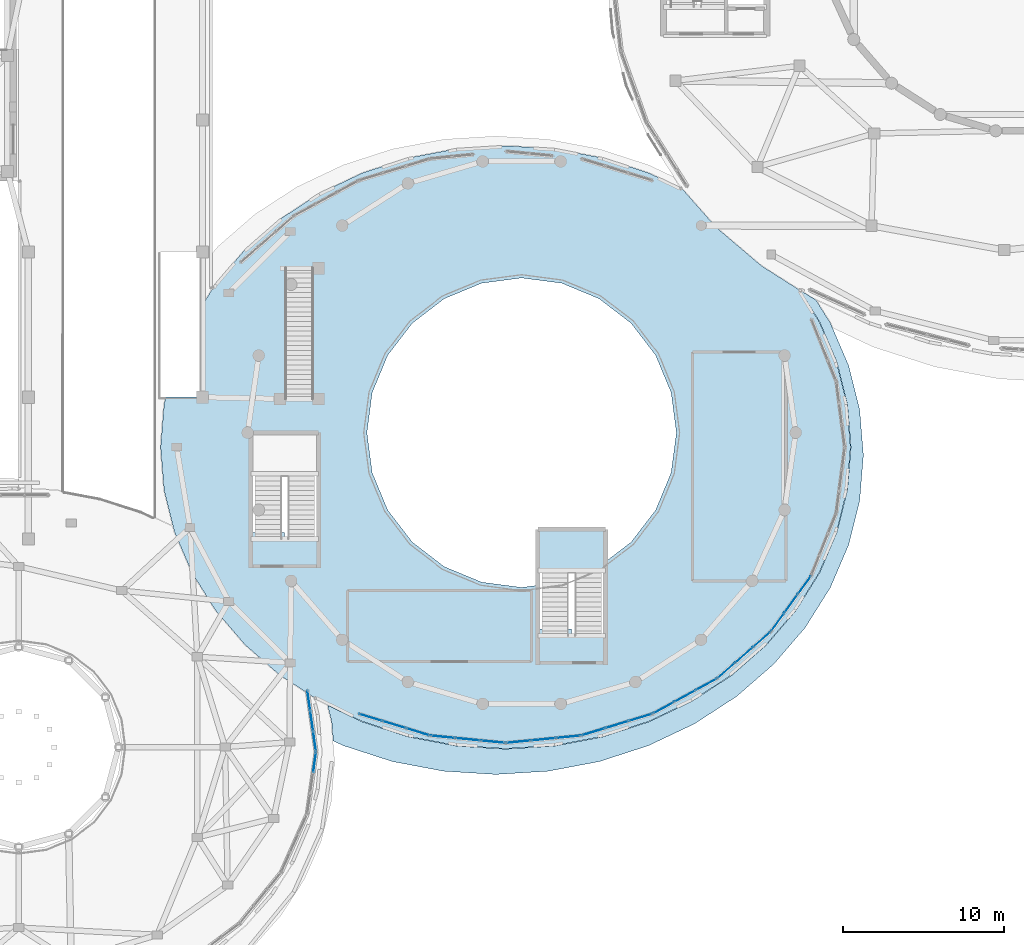
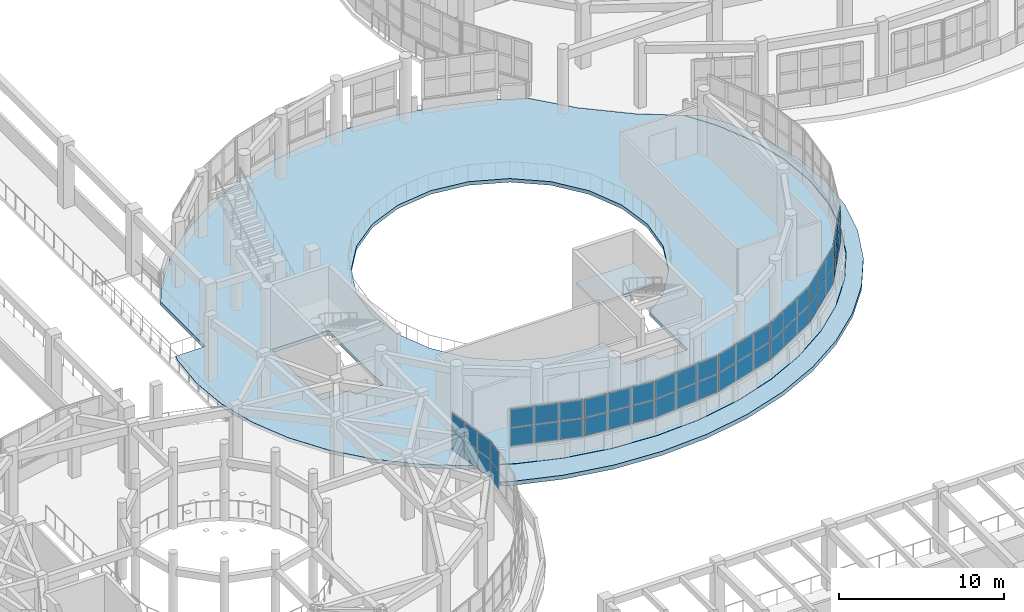
# One storey, part 59 of 98: 50 plates, 3 slabs, 10 elements without a shape of their own.
"""IFC4 building model written with IfcOpenShell, lengths in metres."""

from ifc_helpers import new_model, si_unit, direction, frame, origin, origin_2d, place, context, subcontext, project, spatial, polyline, rectangle, outline, extrude, material, layer, layer_set, type_object, element, aggregate, save


model = new_model("IFC4")

# Units and contexts
model_context = context("Model", 3, precision=1e-05, world=origin(), true_north=direction((0.0, 1.0)))
body_context = subcontext(model_context, "Body", "Model", "MODEL_VIEW")
ifc_project = project(units=[si_unit("LENGTHUNIT", "METRE"), si_unit("AREAUNIT", "SQUARE_METRE"), si_unit("VOLUMEUNIT", "CUBIC_METRE"), si_unit("PLANEANGLEUNIT", "RADIAN"), si_unit("MASSUNIT", "GRAM", prefix="KILO")], contexts=[model_context])

# Site, building, storey
site_placement = place(None, origin())
site = spatial("IfcSite", under=ifc_project, at=site_placement, CompositionType="ELEMENT")
building_placement = place(site_placement, origin())
building = spatial("IfcBuilding", under=site, at=building_placement, Name="Pelvatis Terrace Science Centre", CompositionType="ELEMENT")
storey_placement = place(building_placement, frame((0.0, 0.0, 5.39990234375)))
storey = spatial("IfcBuildingStorey", under=building, at=storey_placement, Name="L01", CompositionType="ELEMENT", Elevation=5.39990234375)

# Curtain wall, plates
ifc_material_1 = material(Name="Bronze-anodised aluminium and laminated glass", Category="aluminium")
ifc_layer_1 = layer(ifc_material_1, 0.179931640625)
ifc_layer_set_1 = layer_set([ifc_layer_1], Name="Bronze-anodised aluminium and laminated glass")
curtain_wall_type_1 = type_object("IfcCurtainWallType", Name="CW-RIBBON-A", PredefinedType="NOTDEFINED", material=ifc_layer_set_1)
curtain_wall_1_placement = place(storey_placement, origin())
curtain_wall_1 = element("IfcCurtainWall", 1, at=curtain_wall_1_placement, inside=storey, type_object=curtain_wall_type_1, Name="Ribbon curtain wall CW-022 (L01)", PredefinedType="NOTDEFINED")
ifc_material_2 = material(Name="Low-e laminated solar-control double glazing", Category="glass")
ifc_layer_2 = layer(ifc_material_2, 0.031982421875)
ifc_layer_set_2 = layer_set([ifc_layer_2], Name="Low-e laminated solar-control double glazing")
plate_type = type_object("IfcPlateType", Name="CWP-IGU-32", PredefinedType="CURTAIN_PANEL", material=ifc_layer_set_2)
plate_1_placement = place(storey_placement, frame((65.156494140625, 35.455078125, 1.080078125), z_axis=(0.0, 0.0, 1.0), x_axis=(-0.141165156196, 0.989986059839, 0.0)))
plate_1 = element("IfcPlate", 2, at=plate_1_placement, type_object=plate_type, Name="CW-022 panel 1.1", PredefinedType="CURTAIN_PANEL", context=body_context, shape_type="SweptSolid", body=[
    extrude(rectangle(XDim=1.203369140625, YDim=0.031982421875, at=origin_2d()), origin(), (0.0, 0.0, 1.0), 1.330078125),
])
plate_2_placement = place(storey_placement, frame((65.156494140625, 35.455078125, 2.469970703125), z_axis=(0.0, 0.0, 1.0), x_axis=(-0.141165156196, 0.989986059839, 0.0)))
plate_2 = element("IfcPlate", 3, at=plate_2_placement, type_object=plate_type, Name="CW-022 panel 1.2", PredefinedType="CURTAIN_PANEL", context=body_context, shape_type="SweptSolid", body=[
    extrude(rectangle(XDim=1.203369140625, YDim=0.031982421875, at=origin_2d()), origin(), (0.0, 0.0, 1.0), 1.330078125),
])
plate_3_placement = place(storey_placement, frame((64.97607421875, 36.720458984375, 1.080078125), z_axis=(0.0, 0.0, 1.0), x_axis=(-0.141165156196, 0.989986059839, 0.0)))
plate_3 = element("IfcPlate", 4, at=plate_3_placement, type_object=plate_type, Name="CW-022 panel 2.1", PredefinedType="CURTAIN_PANEL", context=body_context, shape_type="SweptSolid", body=[
    extrude(rectangle(XDim=1.2333984375, YDim=0.031982421875, at=origin_2d()), origin(), (0.0, 0.0, 1.0), 1.330078125),
])
plate_4_placement = place(storey_placement, frame((64.97607421875, 36.720458984375, 2.469970703125), z_axis=(0.0, 0.0, 1.0), x_axis=(-0.141165156196, 0.989986059839, 0.0)))
plate_4 = element("IfcPlate", 5, at=plate_4_placement, type_object=plate_type, Name="CW-022 panel 2.2", PredefinedType="CURTAIN_PANEL", context=body_context, shape_type="SweptSolid", body=[
    extrude(rectangle(XDim=1.2333984375, YDim=0.031982421875, at=origin_2d()), origin(), (0.0, 0.0, 1.0), 1.330078125),
])
plate_5_placement = place(storey_placement, frame((64.795654296875, 37.986083984375, 1.080078125), z_axis=(0.0, 0.0, 1.0), x_axis=(-0.141165156196, 0.989986059839, 0.0)))
plate_5 = element("IfcPlate", 6, at=plate_5_placement, type_object=plate_type, Name="CW-022 panel 3.1", PredefinedType="CURTAIN_PANEL", context=body_context, shape_type="SweptSolid", body=[
    extrude(rectangle(XDim=1.203369140625, YDim=0.031982421875, at=origin_2d()), origin(), (0.0, 0.0, 1.0), 1.330078125),
])
plate_6_placement = place(storey_placement, frame((64.795654296875, 37.986083984375, 2.469970703125), z_axis=(0.0, 0.0, 1.0), x_axis=(-0.141165156196, 0.989986059839, 0.0)))
plate_6 = element("IfcPlate", 7, at=plate_6_placement, type_object=plate_type, Name="CW-022 panel 3.2", PredefinedType="CURTAIN_PANEL", context=body_context, shape_type="SweptSolid", body=[
    extrude(rectangle(XDim=1.203369140625, YDim=0.031982421875, at=origin_2d()), origin(), (0.0, 0.0, 1.0), 1.330078125),
])
aggregate(curtain_wall_1, [plate_1, plate_2, plate_3, plate_4, plate_5, plate_6])

curtain_wall_2_placement = place(storey_placement, origin())
curtain_wall_2 = element("IfcCurtainWall", 8, at=curtain_wall_2_placement, inside=storey, type_object=curtain_wall_type_1, Name="Ribbon curtain wall CW-042 (L01)", PredefinedType="NOTDEFINED")
plate_7_placement = place(storey_placement, frame((65.156494140625, 34.14501953125, 1.080078125), z_axis=(0.0, 0.0, 1.0), x_axis=(0.141165156196, 0.989986059839, 0.0)))
plate_7 = element("IfcPlate", 9, at=plate_7_placement, type_object=plate_type, Name="CW-042 panel 3.1", PredefinedType="CURTAIN_PANEL", context=body_context, shape_type="SweptSolid", body=[
    extrude(rectangle(XDim=1.203369140625, YDim=0.031982421875, at=origin_2d()), origin(), (0.0, 0.0, 1.0), 1.330078125),
])
plate_8_placement = place(storey_placement, frame((65.156494140625, 34.14501953125, 2.469970703125), z_axis=(0.0, 0.0, 1.0), x_axis=(0.141165156196, 0.989986059839, 0.0)))
plate_8 = element("IfcPlate", 10, at=plate_8_placement, type_object=plate_type, Name="CW-042 panel 3.2", PredefinedType="CURTAIN_PANEL", context=body_context, shape_type="SweptSolid", body=[
    extrude(rectangle(XDim=1.203369140625, YDim=0.031982421875, at=origin_2d()), origin(), (0.0, 0.0, 1.0), 1.330078125),
])
aggregate(curtain_wall_2, [plate_7, plate_8])

ifc_material_3 = material(Name="Bronze-anodised aluminium and laminated glass", Category="aluminium")
ifc_layer_3 = layer(ifc_material_3, 0.199951171875)
ifc_layer_set_3 = layer_set([ifc_layer_3], Name="Bronze-anodised aluminium and laminated glass")
curtain_wall_type_2 = type_object("IfcCurtainWallType", Name="CW-RIBBON-B", PredefinedType="NOTDEFINED", material=ifc_layer_set_3)
curtain_wall_3_placement = place(storey_placement, origin())
curtain_wall_3 = element("IfcCurtainWall", 11, at=curtain_wall_3_placement, inside=storey, type_object=curtain_wall_type_2, Name="Ribbon curtain wall CW-068 (L01)", PredefinedType="NOTDEFINED")
plate_9_placement = place(storey_placement, frame((68.623779296875, 36.936279296875, 1.0849609375), z_axis=(0.0, 0.0, 1.0), x_axis=(0.956494312302, -0.291750973492, 0.0)))
plate_9 = element("IfcPlate", 12, at=plate_9_placement, type_object=plate_type, Name="CW-068 panel 1.1", PredefinedType="CURTAIN_PANEL", context=body_context, shape_type="SweptSolid", body=[
    extrude(rectangle(XDim=1.453125, YDim=0.031982421875, at=origin_2d()), origin(), (0.0, 0.0, 1.0), 1.322509765625),
])
plate_10_placement = place(storey_placement, frame((68.623779296875, 36.936279296875, 2.47265625), z_axis=(0.0, 0.0, 1.0), x_axis=(0.956494312302, -0.291750973492, 0.0)))
plate_10 = element("IfcPlate", 13, at=plate_10_placement, type_object=plate_type, Name="CW-068 panel 1.2", PredefinedType="CURTAIN_PANEL", context=body_context, shape_type="SweptSolid", body=[
    extrude(rectangle(XDim=1.453125, YDim=0.031982421875, at=origin_2d()), origin(), (0.0, 0.0, 1.0), 1.322509765625),
])
plate_11_placement = place(storey_placement, frame((70.09130859375, 36.48876953125, 1.0849609375), z_axis=(0.0, 0.0, 1.0), x_axis=(0.956494312302, -0.291750973492, 0.0)))
plate_11 = element("IfcPlate", 14, at=plate_11_placement, type_object=plate_type, Name="CW-068 panel 2.1", PredefinedType="CURTAIN_PANEL", context=body_context, shape_type="SweptSolid", body=[
    extrude(rectangle(XDim=1.485595703125, YDim=0.031982421875, at=origin_2d()), origin(), (0.0, 0.0, 1.0), 1.322509765625),
])
plate_12_placement = place(storey_placement, frame((70.09130859375, 36.48876953125, 2.47265625), z_axis=(0.0, 0.0, 1.0), x_axis=(0.956494312302, -0.291750973492, 0.0)))
plate_12 = element("IfcPlate", 15, at=plate_12_placement, type_object=plate_type, Name="CW-068 panel 2.2", PredefinedType="CURTAIN_PANEL", context=body_context, shape_type="SweptSolid", body=[
    extrude(rectangle(XDim=1.485595703125, YDim=0.031982421875, at=origin_2d()), origin(), (0.0, 0.0, 1.0), 1.322509765625),
])
plate_13_placement = place(storey_placement, frame((71.558837890625, 36.041015625, 1.0849609375), z_axis=(0.0, 0.0, 1.0), x_axis=(0.956494312302, -0.291750973492, 0.0)))
plate_13 = element("IfcPlate", 16, at=plate_13_placement, type_object=plate_type, Name="CW-068 panel 3.1", PredefinedType="CURTAIN_PANEL", context=body_context, shape_type="SweptSolid", body=[
    extrude(rectangle(XDim=1.453125, YDim=0.031982421875, at=origin_2d()), origin(), (0.0, 0.0, 1.0), 1.322509765625),
])
plate_14_placement = place(storey_placement, frame((71.558837890625, 36.041015625, 2.47265625), z_axis=(0.0, 0.0, 1.0), x_axis=(0.956494312302, -0.291750973492, 0.0)))
plate_14 = element("IfcPlate", 17, at=plate_14_placement, type_object=plate_type, Name="CW-068 panel 3.2", PredefinedType="CURTAIN_PANEL", context=body_context, shape_type="SweptSolid", body=[
    extrude(rectangle(XDim=1.453125, YDim=0.031982421875, at=origin_2d()), origin(), (0.0, 0.0, 1.0), 1.322509765625),
])
aggregate(curtain_wall_3, [plate_9, plate_10, plate_11, plate_12, plate_13, plate_14])

curtain_wall_4_placement = place(storey_placement, origin())
curtain_wall_4 = element("IfcCurtainWall", 18, at=curtain_wall_4_placement, inside=storey, type_object=curtain_wall_type_2, Name="Ribbon curtain wall CW-069 (L01)", PredefinedType="NOTDEFINED")
plate_15_placement = place(storey_placement, frame((73.11279296875, 35.73193359375, 1.0849609375), z_axis=(0.0, 0.0, 1.0), x_axis=(0.995210465514, -0.097755456789, 0.0)))
plate_15 = element("IfcPlate", 19, at=plate_15_placement, type_object=plate_type, Name="CW-069 panel 1.1", PredefinedType="CURTAIN_PANEL", context=body_context, shape_type="SweptSolid", body=[
    extrude(rectangle(XDim=1.471435546875, YDim=0.031982421875, at=origin_2d()), origin(), (0.0, 0.0, 1.0), 1.322509765625),
])
plate_16_placement = place(storey_placement, frame((73.11279296875, 35.73193359375, 2.47265625), z_axis=(0.0, 0.0, 1.0), x_axis=(0.995210465514, -0.097755456789, 0.0)))
plate_16 = element("IfcPlate", 20, at=plate_16_placement, type_object=plate_type, Name="CW-069 panel 1.2", PredefinedType="CURTAIN_PANEL", context=body_context, shape_type="SweptSolid", body=[
    extrude(rectangle(XDim=1.471435546875, YDim=0.031982421875, at=origin_2d()), origin(), (0.0, 0.0, 1.0), 1.322509765625),
])
plate_17_placement = place(storey_placement, frame((74.657958984375, 35.580078125, 1.0849609375), z_axis=(0.0, 0.0, 1.0), x_axis=(0.995210465514, -0.097755456789, 0.0)))
plate_17 = element("IfcPlate", 21, at=plate_17_placement, type_object=plate_type, Name="CW-069 panel 2.1", PredefinedType="CURTAIN_PANEL", context=body_context, shape_type="SweptSolid", body=[
    extrude(rectangle(XDim=1.50390625, YDim=0.031982421875, at=origin_2d()), origin(), (0.0, 0.0, 1.0), 1.322509765625),
])
plate_18_placement = place(storey_placement, frame((74.657958984375, 35.580078125, 2.47265625), z_axis=(0.0, 0.0, 1.0), x_axis=(0.995210465514, -0.097755456789, 0.0)))
plate_18 = element("IfcPlate", 22, at=plate_18_placement, type_object=plate_type, Name="CW-069 panel 2.2", PredefinedType="CURTAIN_PANEL", context=body_context, shape_type="SweptSolid", body=[
    extrude(rectangle(XDim=1.50390625, YDim=0.031982421875, at=origin_2d()), origin(), (0.0, 0.0, 1.0), 1.322509765625),
])
plate_19_placement = place(storey_placement, frame((76.203125, 35.42822265625, 1.0849609375), z_axis=(0.0, 0.0, 1.0), x_axis=(0.995210465514, -0.097755456789, 0.0)))
plate_19 = element("IfcPlate", 23, at=plate_19_placement, type_object=plate_type, Name="CW-069 panel 3.1", PredefinedType="CURTAIN_PANEL", context=body_context, shape_type="SweptSolid", body=[
    extrude(rectangle(XDim=1.471435546875, YDim=0.031982421875, at=origin_2d()), origin(), (0.0, 0.0, 1.0), 1.322509765625),
])
plate_20_placement = place(storey_placement, frame((76.203125, 35.42822265625, 2.47265625), z_axis=(0.0, 0.0, 1.0), x_axis=(0.995210465514, -0.097755456789, 0.0)))
plate_20 = element("IfcPlate", 24, at=plate_20_placement, type_object=plate_type, Name="CW-069 panel 3.2", PredefinedType="CURTAIN_PANEL", context=body_context, shape_type="SweptSolid", body=[
    extrude(rectangle(XDim=1.471435546875, YDim=0.031982421875, at=origin_2d()), origin(), (0.0, 0.0, 1.0), 1.322509765625),
])
aggregate(curtain_wall_4, [plate_15, plate_16, plate_17, plate_18, plate_19, plate_20])

curtain_wall_5_placement = place(storey_placement, origin())
curtain_wall_5 = element("IfcCurtainWall", 25, at=curtain_wall_5_placement, inside=storey, type_object=curtain_wall_type_2, Name="Ribbon curtain wall CW-070 (L01)", PredefinedType="NOTDEFINED")
plate_21_placement = place(storey_placement, frame((77.796875, 35.42822265625, 1.0849609375), z_axis=(0.0, 0.0, 1.0), x_axis=(0.995210465514, 0.097755456789, 0.0)))
plate_21 = element("IfcPlate", 26, at=plate_21_placement, type_object=plate_type, Name="CW-070 panel 1.1", PredefinedType="CURTAIN_PANEL", context=body_context, shape_type="SweptSolid", body=[
    extrude(rectangle(XDim=1.471435546875, YDim=0.031982421875, at=origin_2d()), origin(), (0.0, 0.0, 1.0), 1.322509765625),
])
plate_22_placement = place(storey_placement, frame((77.796875, 35.42822265625, 2.47265625), z_axis=(0.0, 0.0, 1.0), x_axis=(0.995210465514, 0.097755456789, 0.0)))
plate_22 = element("IfcPlate", 27, at=plate_22_placement, type_object=plate_type, Name="CW-070 panel 1.2", PredefinedType="CURTAIN_PANEL", context=body_context, shape_type="SweptSolid", body=[
    extrude(rectangle(XDim=1.471435546875, YDim=0.031982421875, at=origin_2d()), origin(), (0.0, 0.0, 1.0), 1.322509765625),
])
plate_23_placement = place(storey_placement, frame((79.342041015625, 35.580078125, 1.0849609375), z_axis=(0.0, 0.0, 1.0), x_axis=(0.995210465514, 0.097755456789, 0.0)))
plate_23 = element("IfcPlate", 28, at=plate_23_placement, type_object=plate_type, Name="CW-070 panel 2.1", PredefinedType="CURTAIN_PANEL", context=body_context, shape_type="SweptSolid", body=[
    extrude(rectangle(XDim=1.50390625, YDim=0.031982421875, at=origin_2d()), origin(), (0.0, 0.0, 1.0), 1.322509765625),
])
plate_24_placement = place(storey_placement, frame((79.342041015625, 35.580078125, 2.47265625), z_axis=(0.0, 0.0, 1.0), x_axis=(0.995210465514, 0.097755456789, 0.0)))
plate_24 = element("IfcPlate", 29, at=plate_24_placement, type_object=plate_type, Name="CW-070 panel 2.2", PredefinedType="CURTAIN_PANEL", context=body_context, shape_type="SweptSolid", body=[
    extrude(rectangle(XDim=1.50390625, YDim=0.031982421875, at=origin_2d()), origin(), (0.0, 0.0, 1.0), 1.322509765625),
])
plate_25_placement = place(storey_placement, frame((80.88720703125, 35.73193359375, 1.0849609375), z_axis=(0.0, 0.0, 1.0), x_axis=(0.995210465514, 0.097755456789, 0.0)))
plate_25 = element("IfcPlate", 30, at=plate_25_placement, type_object=plate_type, Name="CW-070 panel 3.1", PredefinedType="CURTAIN_PANEL", context=body_context, shape_type="SweptSolid", body=[
    extrude(rectangle(XDim=1.471435546875, YDim=0.031982421875, at=origin_2d()), origin(), (0.0, 0.0, 1.0), 1.322509765625),
])
plate_26_placement = place(storey_placement, frame((80.88720703125, 35.73193359375, 2.47265625), z_axis=(0.0, 0.0, 1.0), x_axis=(0.995210465514, 0.097755456789, 0.0)))
plate_26 = element("IfcPlate", 31, at=plate_26_placement, type_object=plate_type, Name="CW-070 panel 3.2", PredefinedType="CURTAIN_PANEL", context=body_context, shape_type="SweptSolid", body=[
    extrude(rectangle(XDim=1.471435546875, YDim=0.031982421875, at=origin_2d()), origin(), (0.0, 0.0, 1.0), 1.322509765625),
])
aggregate(curtain_wall_5, [plate_21, plate_22, plate_23, plate_24, plate_25, plate_26])

curtain_wall_6_placement = place(storey_placement, origin())
curtain_wall_6 = element("IfcCurtainWall", 32, at=curtain_wall_6_placement, inside=storey, type_object=curtain_wall_type_2, Name="Ribbon curtain wall CW-071 (L01)", PredefinedType="NOTDEFINED")
plate_27_placement = place(storey_placement, frame((82.441162109375, 36.041015625, 1.0849609375), z_axis=(0.0, 0.0, 1.0), x_axis=(0.956494312302, 0.291750973492, 0.0)))
plate_27 = element("IfcPlate", 33, at=plate_27_placement, type_object=plate_type, Name="CW-071 panel 1.1", PredefinedType="CURTAIN_PANEL", context=body_context, shape_type="SweptSolid", body=[
    extrude(rectangle(XDim=1.453125, YDim=0.031982421875, at=origin_2d()), origin(), (0.0, 0.0, 1.0), 1.322509765625),
])
plate_28_placement = place(storey_placement, frame((82.441162109375, 36.041015625, 2.47265625), z_axis=(0.0, 0.0, 1.0), x_axis=(0.956494312302, 0.291750973492, 0.0)))
plate_28 = element("IfcPlate", 34, at=plate_28_placement, type_object=plate_type, Name="CW-071 panel 1.2", PredefinedType="CURTAIN_PANEL", context=body_context, shape_type="SweptSolid", body=[
    extrude(rectangle(XDim=1.453125, YDim=0.031982421875, at=origin_2d()), origin(), (0.0, 0.0, 1.0), 1.322509765625),
])
plate_29_placement = place(storey_placement, frame((83.90869140625, 36.48876953125, 1.0849609375), z_axis=(0.0, 0.0, 1.0), x_axis=(0.956494312302, 0.291750973492, 0.0)))
plate_29 = element("IfcPlate", 35, at=plate_29_placement, type_object=plate_type, Name="CW-071 panel 2.1", PredefinedType="CURTAIN_PANEL", context=body_context, shape_type="SweptSolid", body=[
    extrude(rectangle(XDim=1.485595703125, YDim=0.031982421875, at=origin_2d()), origin(), (0.0, 0.0, 1.0), 1.322509765625),
])
plate_30_placement = place(storey_placement, frame((83.90869140625, 36.48876953125, 2.47265625), z_axis=(0.0, 0.0, 1.0), x_axis=(0.956494312302, 0.291750973492, 0.0)))
plate_30 = element("IfcPlate", 36, at=plate_30_placement, type_object=plate_type, Name="CW-071 panel 2.2", PredefinedType="CURTAIN_PANEL", context=body_context, shape_type="SweptSolid", body=[
    extrude(rectangle(XDim=1.485595703125, YDim=0.031982421875, at=origin_2d()), origin(), (0.0, 0.0, 1.0), 1.322509765625),
])
plate_31_placement = place(storey_placement, frame((85.376220703125, 36.936279296875, 1.0849609375), z_axis=(0.0, 0.0, 1.0), x_axis=(0.956494312302, 0.291750973492, 0.0)))
plate_31 = element("IfcPlate", 37, at=plate_31_placement, type_object=plate_type, Name="CW-071 panel 3.1", PredefinedType="CURTAIN_PANEL", context=body_context, shape_type="SweptSolid", body=[
    extrude(rectangle(XDim=1.453125, YDim=0.031982421875, at=origin_2d()), origin(), (0.0, 0.0, 1.0), 1.322509765625),
])
plate_32_placement = place(storey_placement, frame((85.376220703125, 36.936279296875, 2.47265625), z_axis=(0.0, 0.0, 1.0), x_axis=(0.956494312302, 0.291750973492, 0.0)))
plate_32 = element("IfcPlate", 38, at=plate_32_placement, type_object=plate_type, Name="CW-071 panel 3.2", PredefinedType="CURTAIN_PANEL", context=body_context, shape_type="SweptSolid", body=[
    extrude(rectangle(XDim=1.453125, YDim=0.031982421875, at=origin_2d()), origin(), (0.0, 0.0, 1.0), 1.322509765625),
])
aggregate(curtain_wall_6, [plate_27, plate_28, plate_29, plate_30, plate_31, plate_32])

curtain_wall_7_placement = place(storey_placement, origin())
curtain_wall_7 = element("IfcCurtainWall", 39, at=curtain_wall_7_placement, inside=storey, type_object=curtain_wall_type_2, Name="Ribbon curtain wall CW-072 (L01)", PredefinedType="NOTDEFINED")
plate_33_placement = place(storey_placement, frame((86.812744140625, 37.539306640625, 1.0849609375), z_axis=(0.0, 0.0, 1.0), x_axis=(0.877046008248, 0.480406389857, 0.0)))
plate_33 = element("IfcPlate", 40, at=plate_33_placement, type_object=plate_type, Name="CW-072 panel 1.1", PredefinedType="CURTAIN_PANEL", context=body_context, shape_type="SweptSolid", body=[
    extrude(rectangle(XDim=1.41943359375, YDim=0.031982421875, at=origin_2d()), origin(), (0.0, 0.0, 1.0), 1.322509765625),
])
plate_34_placement = place(storey_placement, frame((86.812744140625, 37.539306640625, 2.47265625), z_axis=(0.0, 0.0, 1.0), x_axis=(0.877046008248, 0.480406389857, 0.0)))
plate_34 = element("IfcPlate", 41, at=plate_34_placement, type_object=plate_type, Name="CW-072 panel 1.2", PredefinedType="CURTAIN_PANEL", context=body_context, shape_type="SweptSolid", body=[
    extrude(rectangle(XDim=1.41943359375, YDim=0.031982421875, at=origin_2d()), origin(), (0.0, 0.0, 1.0), 1.322509765625),
])
plate_35_placement = place(storey_placement, frame((88.12890625, 38.26025390625, 1.0849609375), z_axis=(0.0, 0.0, 1.0), x_axis=(0.877046008248, 0.480406389857, 0.0)))
plate_35 = element("IfcPlate", 42, at=plate_35_placement, type_object=plate_type, Name="CW-072 panel 2.1", PredefinedType="CURTAIN_PANEL", context=body_context, shape_type="SweptSolid", body=[
    extrude(rectangle(XDim=1.451904296875, YDim=0.031982421875, at=origin_2d()), origin(), (0.0, 0.0, 1.0), 1.322509765625),
])
plate_36_placement = place(storey_placement, frame((88.12890625, 38.26025390625, 2.47265625), z_axis=(0.0, 0.0, 1.0), x_axis=(0.877046008248, 0.480406389857, 0.0)))
plate_36 = element("IfcPlate", 43, at=plate_36_placement, type_object=plate_type, Name="CW-072 panel 2.2", PredefinedType="CURTAIN_PANEL", context=body_context, shape_type="SweptSolid", body=[
    extrude(rectangle(XDim=1.451904296875, YDim=0.031982421875, at=origin_2d()), origin(), (0.0, 0.0, 1.0), 1.322509765625),
])
plate_37_placement = place(storey_placement, frame((89.445068359375, 38.981201171875, 1.0849609375), z_axis=(0.0, 0.0, 1.0), x_axis=(0.877046008248, 0.480406389857, 0.0)))
plate_37 = element("IfcPlate", 44, at=plate_37_placement, type_object=plate_type, Name="CW-072 panel 3.1", PredefinedType="CURTAIN_PANEL", context=body_context, shape_type="SweptSolid", body=[
    extrude(rectangle(XDim=1.41943359375, YDim=0.031982421875, at=origin_2d()), origin(), (0.0, 0.0, 1.0), 1.322509765625),
])
plate_38_placement = place(storey_placement, frame((89.445068359375, 38.981201171875, 2.47265625), z_axis=(0.0, 0.0, 1.0), x_axis=(0.877046008248, 0.480406389857, 0.0)))
plate_38 = element("IfcPlate", 45, at=plate_38_placement, type_object=plate_type, Name="CW-072 panel 3.2", PredefinedType="CURTAIN_PANEL", context=body_context, shape_type="SweptSolid", body=[
    extrude(rectangle(XDim=1.41943359375, YDim=0.031982421875, at=origin_2d()), origin(), (0.0, 0.0, 1.0), 1.322509765625),
])
aggregate(curtain_wall_7, [plate_33, plate_34, plate_35, plate_36, plate_37, plate_38])

curtain_wall_8_placement = place(storey_placement, origin())
curtain_wall_8 = element("IfcCurtainWall", 46, at=curtain_wall_8_placement, inside=storey, type_object=curtain_wall_type_2, Name="Ribbon curtain wall CW-073 (L01)", PredefinedType="NOTDEFINED")
plate_39_placement = place(storey_placement, frame((90.6923828125, 39.848388671875, 1.0849609375), z_axis=(0.0, 0.0, 1.0), x_axis=(0.753792835863, 0.657112137007, 0.0)))
plate_39 = element("IfcPlate", 47, at=plate_39_placement, type_object=plate_type, Name="CW-073 panel 1.1", PredefinedType="CURTAIN_PANEL", context=body_context, shape_type="SweptSolid", body=[
    extrude(rectangle(XDim=1.37646484375, YDim=0.031982421875, at=origin_2d()), origin(), (0.0, 0.0, 1.0), 1.322509765625),
])
plate_40_placement = place(storey_placement, frame((90.6923828125, 39.848388671875, 2.47265625), z_axis=(0.0, 0.0, 1.0), x_axis=(0.753792835863, 0.657112137007, 0.0)))
plate_40 = element("IfcPlate", 48, at=plate_40_placement, type_object=plate_type, Name="CW-073 panel 1.2", PredefinedType="CURTAIN_PANEL", context=body_context, shape_type="SweptSolid", body=[
    extrude(rectangle(XDim=1.37646484375, YDim=0.031982421875, at=origin_2d()), origin(), (0.0, 0.0, 1.0), 1.322509765625),
])
plate_41_placement = place(storey_placement, frame((91.791015625, 40.80615234375, 1.0849609375), z_axis=(0.0, 0.0, 1.0), x_axis=(0.753792835863, 0.657112137007, 0.0)))
plate_41 = element("IfcPlate", 49, at=plate_41_placement, type_object=plate_type, Name="CW-073 panel 2.1", PredefinedType="CURTAIN_PANEL", context=body_context, shape_type="SweptSolid", body=[
    extrude(rectangle(XDim=1.408935546875, YDim=0.031982421875, at=origin_2d()), origin(), (0.0, 0.0, 1.0), 1.322509765625),
])
plate_42_placement = place(storey_placement, frame((91.791015625, 40.80615234375, 2.47265625), z_axis=(0.0, 0.0, 1.0), x_axis=(0.753792835863, 0.657112137007, 0.0)))
plate_42 = element("IfcPlate", 50, at=plate_42_placement, type_object=plate_type, Name="CW-073 panel 2.2", PredefinedType="CURTAIN_PANEL", context=body_context, shape_type="SweptSolid", body=[
    extrude(rectangle(XDim=1.408935546875, YDim=0.031982421875, at=origin_2d()), origin(), (0.0, 0.0, 1.0), 1.322509765625),
])
plate_43_placement = place(storey_placement, frame((92.889892578125, 41.76416015625, 1.0849609375), z_axis=(0.0, 0.0, 1.0), x_axis=(0.753792835863, 0.657112137007, 0.0)))
plate_43 = element("IfcPlate", 51, at=plate_43_placement, type_object=plate_type, Name="CW-073 panel 3.1", PredefinedType="CURTAIN_PANEL", context=body_context, shape_type="SweptSolid", body=[
    extrude(rectangle(XDim=1.37646484375, YDim=0.031982421875, at=origin_2d()), origin(), (0.0, 0.0, 1.0), 1.322509765625),
])
plate_44_placement = place(storey_placement, frame((92.889892578125, 41.76416015625, 2.47265625), z_axis=(0.0, 0.0, 1.0), x_axis=(0.753792835863, 0.657112137007, 0.0)))
plate_44 = element("IfcPlate", 52, at=plate_44_placement, type_object=plate_type, Name="CW-073 panel 3.2", PredefinedType="CURTAIN_PANEL", context=body_context, shape_type="SweptSolid", body=[
    extrude(rectangle(XDim=1.37646484375, YDim=0.031982421875, at=origin_2d()), origin(), (0.0, 0.0, 1.0), 1.322509765625),
])
aggregate(curtain_wall_8, [plate_39, plate_40, plate_41, plate_42, plate_43, plate_44])

curtain_wall_9_placement = place(storey_placement, origin())
curtain_wall_9 = element("IfcCurtainWall", 53, at=curtain_wall_9_placement, inside=storey, type_object=curtain_wall_type_2, Name="Ribbon curtain wall CW-074 (L01)", PredefinedType="NOTDEFINED")
plate_45_placement = place(storey_placement, frame((93.885009765625, 42.85205078125, 1.0849609375), z_axis=(0.0, 0.0, 1.0), x_axis=(0.584730926678, 0.811227306854, 0.0)))
plate_45 = element("IfcPlate", 54, at=plate_45_placement, type_object=plate_type, Name="CW-074 panel 1.1", PredefinedType="CURTAIN_PANEL", context=body_context, shape_type="SweptSolid", body=[
    extrude(rectangle(XDim=1.33203125, YDim=0.031982421875, at=origin_2d()), origin(), (0.0, 0.0, 1.0), 1.322509765625),
])
plate_46_placement = place(storey_placement, frame((93.885009765625, 42.85205078125, 2.47265625), z_axis=(0.0, 0.0, 1.0), x_axis=(0.584730926678, 0.811227306854, 0.0)))
plate_46 = element("IfcPlate", 55, at=plate_46_placement, type_object=plate_type, Name="CW-074 panel 1.2", PredefinedType="CURTAIN_PANEL", context=body_context, shape_type="SweptSolid", body=[
    extrude(rectangle(XDim=1.33203125, YDim=0.031982421875, at=origin_2d()), origin(), (0.0, 0.0, 1.0), 1.322509765625),
])
plate_47_placement = place(storey_placement, frame((94.71142578125, 43.99853515625, 1.0849609375), z_axis=(0.0, 0.0, 1.0), x_axis=(0.584730926678, 0.811227306854, 0.0)))
plate_47 = element("IfcPlate", 56, at=plate_47_placement, type_object=plate_type, Name="CW-074 panel 2.1", PredefinedType="CURTAIN_PANEL", context=body_context, shape_type="SweptSolid", body=[
    extrude(rectangle(XDim=1.364501953125, YDim=0.031982421875, at=origin_2d()), origin(), (0.0, 0.0, 1.0), 1.322509765625),
])
plate_48_placement = place(storey_placement, frame((94.71142578125, 43.99853515625, 2.47265625), z_axis=(0.0, 0.0, 1.0), x_axis=(0.584730926678, 0.811227306854, 0.0)))
plate_48 = element("IfcPlate", 57, at=plate_48_placement, type_object=plate_type, Name="CW-074 panel 2.2", PredefinedType="CURTAIN_PANEL", context=body_context, shape_type="SweptSolid", body=[
    extrude(rectangle(XDim=1.364501953125, YDim=0.031982421875, at=origin_2d()), origin(), (0.0, 0.0, 1.0), 1.322509765625),
])
plate_49_placement = place(storey_placement, frame((95.537841796875, 45.145263671875, 1.0849609375), z_axis=(0.0, 0.0, 1.0), x_axis=(0.584730926678, 0.811227306854, 0.0)))
plate_49 = element("IfcPlate", 58, at=plate_49_placement, type_object=plate_type, Name="CW-074 panel 3.1", PredefinedType="CURTAIN_PANEL", context=body_context, shape_type="SweptSolid", body=[
    extrude(rectangle(XDim=1.33203125, YDim=0.031982421875, at=origin_2d()), origin(), (0.0, 0.0, 1.0), 1.322509765625),
])
plate_50_placement = place(storey_placement, frame((95.537841796875, 45.145263671875, 2.47265625), z_axis=(0.0, 0.0, 1.0), x_axis=(0.584730926678, 0.811227306854, 0.0)))
plate_50 = element("IfcPlate", 59, at=plate_50_placement, type_object=plate_type, Name="CW-074 panel 3.2", PredefinedType="CURTAIN_PANEL", context=body_context, shape_type="SweptSolid", body=[
    extrude(rectangle(XDim=1.33203125, YDim=0.031982421875, at=origin_2d()), origin(), (0.0, 0.0, 1.0), 1.322509765625),
])
aggregate(curtain_wall_9, [plate_45, plate_46, plate_47, plate_48, plate_49, plate_50])

# Slab
ifc_material_4 = material(Name="Concrete C35/45", Category="concrete")
ifc_layer_4 = layer(ifc_material_4, 0.264892578125)
ifc_layer_set_4 = layer_set([ifc_layer_4], Name="Concrete C35/45")
slab_type_1 = type_object("IfcSlabType", Name="SLB-FLR-265", PredefinedType="FLOOR", material=ifc_layer_set_4)
slab_1_placement = place(storey_placement, frame((0.0, 0.0, -0.264892578125)))
element("IfcSlab", 60, at=slab_1_placement, inside=storey, type_object=slab_type_1, Name="L01 Earth and Ocean gallery atrium slab", PredefinedType="FLOOR", context=body_context, shape_type="SweptSolid", body=[
    extrude(outline(polyline([(97.533203125, 48.431640625), (96.466064453125, 45.931640625), (95.002685546875, 43.590087890625), (93.173095703125, 41.4541015625), (91.013916015625, 39.5673828125), (88.569580078125, 37.968505859375), (85.889892578125, 36.68994140625), (83.029052734375, 35.757568359375), (80.04541015625, 35.190185546875), (77.0, 35.0), (73.95458984375, 35.190185546875), (70.970947265625, 35.757568359375), (68.110107421875, 36.68994140625), (65.430419921875, 37.968505859375), (62.986083984375, 39.5673828125), (60.826904296875, 41.4541015625), (58.997314453125, 43.590087890625), (57.533935546875, 45.931640625), (56.466796875, 48.431640625), (55.81787109375, 51.038818359375), (55.60009765625, 53.699951171875), (55.81787109375, 56.361328125), (55.927001953125, 56.800048828125), (58.0, 56.800048828125), (58.0, 62.214111328125), (58.997314453125, 63.81005859375), (60.826904296875, 65.94580078125), (62.986083984375, 67.83251953125), (65.430419921875, 69.431396484375), (68.110107421875, 70.710205078125), (70.970947265625, 71.642578125), (73.95458984375, 72.209716796875), (77.0, 72.39990234375), (80.04541015625, 72.209716796875), (83.029052734375, 71.642578125), (85.889892578125, 70.710205078125), (87.972900390625, 69.71630859375), (90.077392578125, 67.330078125), (92.882080078125, 64.94921875), (95.219482421875, 63.46337890625), (96.466064453125, 61.46826171875), (97.533203125, 58.968505859375), (98.18212890625, 56.361328125), (98.39990234375, 53.699951171875), (98.18212890625, 51.038818359375), (97.533203125, 48.431640625)]), holes=[polyline([(83.10009765625, 46.516357421875), (84.7880859375, 47.811767578125), (86.313720703125, 49.800048828125), (87.27294921875, 52.115234375), (87.60009765625, 54.60009765625), (87.27294921875, 57.084716796875), (86.313720703125, 59.39990234375), (84.7880859375, 61.38818359375), (82.800048828125, 62.913818359375), (80.484619140625, 63.872802734375), (78.0, 64.199951171875), (75.515380859375, 63.872802734375), (73.199951171875, 62.913818359375), (71.2119140625, 61.38818359375), (69.686279296875, 59.39990234375), (68.72705078125, 57.084716796875), (68.39990234375, 54.60009765625), (68.72705078125, 52.115234375), (69.686279296875, 49.800048828125), (71.2119140625, 47.811767578125), (73.199951171875, 46.2861328125), (75.515380859375, 45.3271484375), (78.0, 45.0), (79.10009765625, 45.144775390625), (79.10009765625, 42.419921875), (81.10009765625, 42.419921875), (81.10009765625, 41.919921875), (83.10009765625, 41.919921875), (83.10009765625, 46.516357421875)]), polyline([(61.300048828125, 54.5), (61.300048828125, 48.419921875), (63.300048828125, 48.419921875), (63.300048828125, 47.919921875), (65.300048828125, 47.919921875), (65.300048828125, 54.5), (61.300048828125, 54.5)])]), origin(), (0.0, 0.0, 1.0), 0.264892578125),
])

# Stair, slab
ifc_material_5 = material(Name="Concrete C35/45", Category="concrete")
stair_type = type_object("IfcStairType", Name="STR-2RUN-1650-48", PredefinedType="TWO_STRAIGHT_RUN_STAIR", material=ifc_material_5)
stair_placement = place(storey_placement, origin())
stair = element("IfcStair", 61, at=stair_placement, inside=storey, type_object=stair_type, Name="Protected exit stair ST-06-L01", PredefinedType="TWO_STRAIGHT_RUN_STAIR")
ifc_material_6 = material(Name="Concrete C35/45", Category="concrete")
ifc_layer_5 = layer(ifc_material_6, 0.215087890625)
ifc_layer_set_5 = layer_set([ifc_layer_5], Name="Concrete C35/45")
slab_type_2 = type_object("IfcSlabType", Name="SLB-LND-215", PredefinedType="LANDING", material=ifc_layer_set_5)
slab_2_placement = place(storey_placement, frame((0.0, 0.0, 2.18505859375)))
slab_2 = element("IfcSlab", 62, at=slab_2_placement, type_object=slab_type_2, Name="ST-06-L01 landing 1", PredefinedType="LANDING", context=body_context, shape_type="SweptSolid", body=[
    extrude(outline(polyline([(79.110107421875, 45.89990234375), (83.090087890625, 45.89990234375), (83.090087890625, 48.489990234375), (79.110107421875, 48.489990234375), (79.110107421875, 45.89990234375)])), origin(), (0.0, 0.0, 1.0), 0.215087890625),
])
aggregate(stair, [slab_2])

# Slab
ifc_material_7 = material(Name="Concrete C35/45", Category="concrete")
ifc_layer_6 = layer(ifc_material_7, 0.298095703125)
ifc_layer_set_6 = layer_set([ifc_layer_6], Name="Concrete C35/45")
slab_type_3 = type_object("IfcSlabType", Name="SLB-ROOF-228", PredefinedType="ROOF", material=ifc_layer_set_6)
slab_3_placement = place(storey_placement, frame((0.0, 0.0, -0.2978515625)))
element("IfcSlab", 63, at=slab_3_placement, inside=storey, type_object=slab_type_3, Name="L01 Middle ring spiral step collar roof", PredefinedType="ROOF", context=body_context, shape_type="SweptSolid", body=[
    extrude(outline(polyline([(98.968017578125, 50.382080078125), (98.2763671875, 47.62158203125), (97.1396484375, 44.974853515625), (95.58056640625, 42.495361328125), (93.631103515625, 40.23388671875), (91.330810546875, 38.236083984375), (88.7265625, 36.543212890625), (85.87158203125, 35.189208984375), (82.823486328125, 34.201904296875), (79.644775390625, 33.6015625), (76.39990234375, 33.39990234375), (73.1552734375, 33.6015625), (69.9765625, 34.201904296875), (66.928466796875, 35.189208984375), (66.311767578125, 35.481689453125), (66.2080078125, 36.7080078125), (65.9541015625, 37.696533203125), (68.10400390625, 36.6708984375), (70.964599609375, 35.738525390625), (73.953369140625, 35.17041015625), (76.998779296875, 34.97998046875), (80.046630859375, 35.17041015625), (83.03271484375, 35.73779296875), (85.89599609375, 36.6708984375), (88.578369140625, 37.950439453125), (91.02490234375, 39.55078125), (93.186279296875, 41.43896484375), (95.018798828125, 43.578125), (96.48388671875, 45.92236328125), (97.552001953125, 48.42529296875), (98.2021484375, 51.037109375), (98.419921875, 53.699951171875), (98.20166015625, 56.3662109375), (97.551513671875, 58.976318359375), (96.48388671875, 61.4775390625), (95.258544921875, 63.4384765625), (96.249267578125, 62.84130859375), (97.1396484375, 61.42529296875), (98.2763671875, 58.7783203125), (98.968017578125, 56.017822265625), (99.199951171875, 53.199951171875), (98.968017578125, 50.382080078125)])), origin(), (0.0, 0.0, 1.0), 0.2978515625),
])

save(model, "model.ifc")
